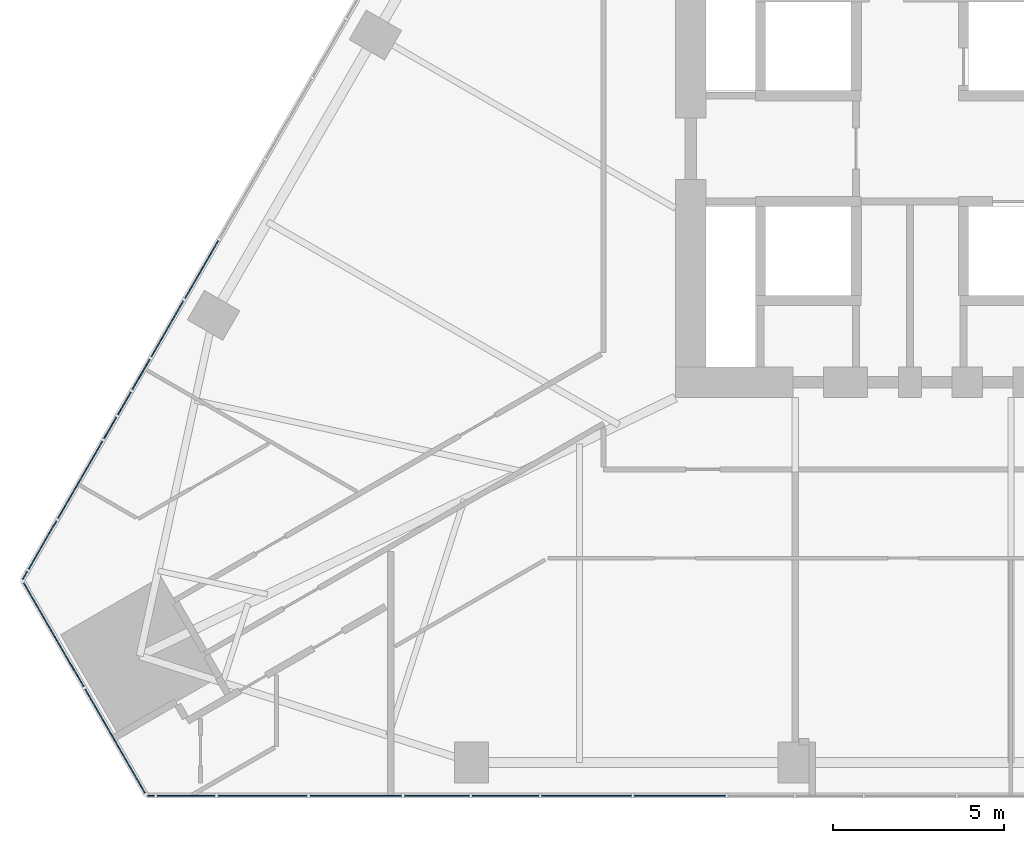
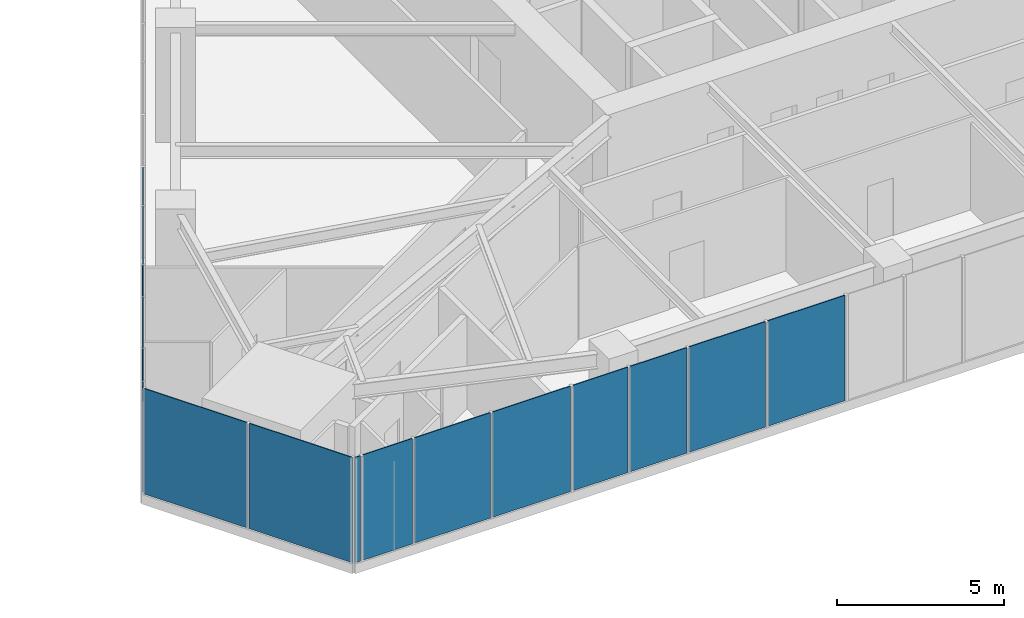
# One storey, part 13 of 26: 19 plates, 3 elements without a shape of their own.
"""IFC4 building model written with IfcOpenShell, lengths in metres."""

from ifc_helpers import new_model, si_unit, direction, frame, origin, place, context, subcontext, project, spatial, polyline, outline, extrude, material, layer, layer_set, type_object, element, aggregate, save


model = new_model("IFC4")

# Units and contexts
model_context = context("Model", 3, precision=1e-05, world=origin(), true_north=direction((0.0, 1.0)))
body_context = subcontext(model_context, "Body", "Model", "MODEL_VIEW")
ifc_project = project(units=[si_unit("LENGTHUNIT", "METRE"), si_unit("AREAUNIT", "SQUARE_METRE"), si_unit("VOLUMEUNIT", "CUBIC_METRE"), si_unit("PLANEANGLEUNIT", "RADIAN"), si_unit("MASSUNIT", "GRAM", prefix="KILO")], contexts=[model_context])

# Site, building, storey
site_placement = place(None, origin())
site = spatial("IfcSite", under=ifc_project, at=site_placement, CompositionType="ELEMENT")
building_placement = place(site_placement, origin())
building = spatial("IfcBuilding", under=site, at=building_placement, Name="Firuza Gate Tower and Library", CompositionType="ELEMENT")
storey_placement = place(building_placement, frame((0.0, 0.0, 77.800048828125)))
storey = spatial("IfcBuildingStorey", under=building, at=storey_placement, Name="L17", CompositionType="ELEMENT", Elevation=77.800048828125)

# Curtain wall, plates
ifc_material_1 = material(Name="Aluminium 6063-T6", Category="aluminium")
ifc_layer_1 = layer(ifc_material_1, 0.14990234375)
ifc_layer_set_1 = layer_set([ifc_layer_1], Name="Corner curtain wall, chamfers")
curtain_wall_type_1 = type_object("IfcCurtainWallType", Name="Corner curtain wall, chamfers", PredefinedType="NOTDEFINED", material=ifc_layer_set_1)
placement = place(storey_placement, origin())
curtain_wall_1 = element("IfcCurtainWall", 1, at=placement, inside=storey, type_object=curtain_wall_type_1, Name="CW4 L17 SW corner", PredefinedType="NOTDEFINED")
ifc_material_2 = material(Name="Fritted glass", Category="glass")
ifc_layer_2 = layer(ifc_material_2, 0.030029296875)
ifc_layer_set_2 = layer_set([ifc_layer_2], Name="Fritted glass unit, corners")
plate_type_1 = type_object("IfcPlateType", Name="Fritted glass unit, corners", PredefinedType="CURTAIN_PANEL", material=ifc_layer_set_2)
plate_1_placement = place(storey_placement, frame((42.864501953125, 60.607177734375, 0.14990234375), z_axis=(-0.865999591991, -0.500044704672, 0.0), x_axis=(0.500044704672, -0.865999591991, 0.0)))
plate_1 = element("IfcPlate", 2, at=plate_1_placement, type_object=plate_type_1, Name="Glass unit", PredefinedType="CURTAIN_PANEL", context=body_context, shape_type="SweptSolid", body=[
    extrude(outline(polyline([(0.0, 0.0), (3.563157982880169, 0.0), (3.563157982880169, 3.85009765625), (0.0, 3.85009765625), (0.0, 0.0)])), origin(), (0.0, 0.0, -1.0), 0.030029296875),
])
plate_2_placement = place(storey_placement, frame((44.686279296875, 57.4521484375, 0.14990234375), z_axis=(-0.866046390552, -0.49996364809, 0.0), x_axis=(0.49996364809, -0.866046390552, 0.0)))
plate_2 = element("IfcPlate", 3, at=plate_2_placement, type_object=plate_type_1, Name="Glass unit", PredefinedType="CURTAIN_PANEL", context=body_context, shape_type="SweptSolid", body=[
    extrude(outline(polyline([(0.0, 0.0), (3.563247342942594, 0.0), (3.563247342942594, 3.85009765625), (0.0, 3.85009765625), (0.0, 0.0)])), origin(), (0.0, 0.0, -1.0), 0.030029296875),
])
aggregate(curtain_wall_1, [plate_1, plate_2])

ifc_material_3 = material(Name="Aluminium 6063-T6", Category="aluminium")
ifc_layer_3 = layer(ifc_material_3, 0.14990234375)
ifc_layer_set_3 = layer_set([ifc_layer_3], Name="Unitised curtain wall, offices")
curtain_wall_type_2 = type_object("IfcCurtainWallType", Name="Unitised curtain wall, offices", PredefinedType="NOTDEFINED", material=ifc_layer_set_3)
curtain_wall_2 = element("IfcCurtainWall", 4, at=placement, inside=storey, type_object=curtain_wall_type_2, Name="CW1 L17 S face", PredefinedType="NOTDEFINED")
ifc_material_4 = material(Name="Fritted glass", Category="glass")
ifc_layer_4 = layer(ifc_material_4, 0.030029296875)
ifc_layer_set_4 = layer_set([ifc_layer_4], Name="Fritted glass unit, offices")
plate_type_2 = type_object("IfcPlateType", Name="Fritted glass unit, offices", PredefinedType="CURTAIN_PANEL", material=ifc_layer_set_4)
plate_3_placement = place(storey_placement, frame((46.806884765625, 54.323974609375, 0.14990234375), z_axis=(0.0, -1.0, 0.0), x_axis=(1.0, 0.0, 0.0)))
plate_3 = element("IfcPlate", 5, at=plate_3_placement, type_object=plate_type_2, Name="Glass unit", PredefinedType="CURTAIN_PANEL", context=body_context, shape_type="SweptSolid", body=[
    extrude(outline(polyline([(0.0, 0.0), (1.706298828125, 0.0), (1.706298828125, 3.85009765625), (0.0, 3.85009765625), (0.0, 0.0)])), origin(), (0.0, 0.0, -1.0), 0.030029296875),
])
plate_4_placement = place(storey_placement, frame((54.060302734375, 54.323974609375, 0.14990234375), z_axis=(0.0, -1.0, 0.0), x_axis=(1.0, 0.0, 0.0)))
plate_4 = element("IfcPlate", 6, at=plate_4_placement, type_object=plate_type_2, Name="Glass unit", PredefinedType="CURTAIN_PANEL", context=body_context, shape_type="SweptSolid", body=[
    extrude(outline(polyline([(0.0, 0.0), (1.900146484375, 0.0), (1.900146484375, 3.85009765625), (0.0, 3.85009765625), (0.0, 0.0)])), origin(), (0.0, 0.0, -1.0), 0.030029296875),
])
plate_5_placement = place(storey_placement, frame((56.04052734375, 54.323974609375, 0.14990234375), z_axis=(0.0, -1.0, 0.0), x_axis=(1.0, 0.0, 0.0)))
plate_5 = element("IfcPlate", 7, at=plate_5_placement, type_object=plate_type_2, Name="Glass unit", PredefinedType="CURTAIN_PANEL", context=body_context, shape_type="SweptSolid", body=[
    extrude(outline(polyline([(0.0, 0.0), (1.9580078125, 0.0), (1.9580078125, 3.85009765625), (0.0, 3.85009765625), (0.0, 0.0)])), origin(), (0.0, 0.0, -1.0), 0.030029296875),
])

curtain_wall_3 = element("IfcCurtainWall", 8, at=placement, inside=storey, type_object=curtain_wall_type_2, Name="CW1 L17 W face", PredefinedType="NOTDEFINED")
plate_6_placement = place(storey_placement, frame((48.59326171875, 70.6142578125, 0.14990234375), z_axis=(-0.866009076391, 0.500028278809, 0.0), x_axis=(-0.500028278809, -0.866009076391, 0.0)))
plate_6 = element("IfcPlate", 9, at=plate_6_placement, type_object=plate_type_2, Name="Glass unit", PredefinedType="CURTAIN_PANEL", context=body_context, shape_type="SweptSolid", body=[
    extrude(outline(polyline([(0.0, 0.0), (1.9578970785054803, 0.0), (1.9578970785054803, 3.85009765625), (0.0, 3.85009765625), (0.0, 0.0)])), origin(), (0.0, 0.0, -1.0), 0.030029296875),
])
plate_7_placement = place(storey_placement, frame((47.574462890625, 68.849365234375, 0.14990234375), z_axis=(-0.866020851292, 0.500007885066, 0.0), x_axis=(-0.500007885066, -0.866020851292, 0.0)))
plate_7 = element("IfcPlate", 10, at=plate_7_placement, type_object=plate_type_2, Name="Glass unit", PredefinedType="CURTAIN_PANEL", context=body_context, shape_type="SweptSolid", body=[
    extrude(outline(polyline([(0.0, 0.0), (1.9003606560628763, 0.0), (1.9003606560628763, 1.885009765625), (0.0, 1.885009765625), (0.0, 0.0)])), origin(), (0.0, 0.0, -1.0), 0.030029296875),
])
plate_8_placement = place(storey_placement, frame((45.605224609375, 65.4384765625, 0.14990234375), z_axis=(-0.865974312977, 0.500088481434, 0.0), x_axis=(-0.500088481434, -0.865974312977, 0.0)))
plate_8 = element("IfcPlate", 11, at=plate_8_placement, type_object=plate_type_2, Name="Glass unit", PredefinedType="CURTAIN_PANEL", context=body_context, shape_type="SweptSolid", body=[
    extrude(outline(polyline([(0.0, 0.0), (0.7313158967412208, 0.0), (0.7313158967412208, 1.885009765625), (0.0, 1.885009765625), (0.0, 0.0)])), origin(), (0.0, 0.0, -1.0), 0.030029296875),
])
plate_9_placement = place(storey_placement, frame((47.574462890625, 68.849365234375, 2.114990234375), z_axis=(-0.866018079166, 0.500012686397, 0.0), x_axis=(-0.500012686397, -0.866018079166, 0.0)))
plate_9 = element("IfcPlate", 12, at=plate_9_placement, type_object=plate_type_2, Name="Glass unit", PredefinedType="CURTAIN_PANEL", context=body_context, shape_type="SweptSolid", body=[
    extrude(outline(polyline([(0.0, 0.0), (3.0096892607728014, 0.0), (3.0096892607728014, 1.885009765625), (0.0, 1.885009765625), (0.0, 0.0)])), origin(), (0.0, 0.0, -1.0), 0.030029296875),
])
plate_10_placement = place(storey_placement, frame((43.8505859375, 62.399658203125, 0.14990234375), z_axis=(-0.866046869545, 0.499962818368, 0.0), x_axis=(-0.499962818368, -0.866046869545, 0.0)))
plate_10 = element("IfcPlate", 13, at=plate_10_placement, type_object=plate_type_2, Name="Glass unit", PredefinedType="CURTAIN_PANEL", context=body_context, shape_type="SweptSolid", body=[
    extrude(outline(polyline([(0.0, 0.0), (1.6412353288644128, 0.0), (1.6412353288644128, 3.85009765625), (0.0, 3.85009765625), (0.0, 0.0)])), origin(), (0.0, 0.0, -1.0), 0.030029296875),
])

# Plate
ifc_material_5 = material(Name="Glazed ceramic tile")
ifc_layer_5 = layer(ifc_material_5, 0.030029296875)
ifc_layer_set_5 = layer_set([ifc_layer_5], Name="Opaque ceramic panel, offices")
plate_type_3 = type_object("IfcPlateType", Name="Opaque ceramic panel, offices", PredefinedType="CURTAIN_PANEL", material=ifc_layer_set_5)
plate_11_placement = place(storey_placement, frame((46.540771484375, 54.323974609375, 0.14990234375), z_axis=(0.0, -1.0, 0.0), x_axis=(1.0, 0.0, 0.0)))
plate_11 = element("IfcPlate", 14, at=plate_11_placement, type_object=plate_type_3, Name="Opaque ceramic panel", PredefinedType="CURTAIN_PANEL", context=body_context, shape_type="SweptSolid", body=[
    extrude(outline(polyline([(0.0, 0.0), (0.18603515625, 0.0), (0.18603515625, 3.85009765625), (0.0, 3.85009765625), (0.0, 0.0)])), origin(), (0.0, 0.0, -1.0), 0.030029296875),
])

plate_12_placement = place(storey_placement, frame((48.59326171875, 54.323974609375, 0.14990234375), z_axis=(0.0, -1.0, 0.0), x_axis=(1.0, 0.0, 0.0)))
plate_12 = element("IfcPlate", 15, at=plate_12_placement, type_object=plate_type_3, Name="Opaque ceramic panel", PredefinedType="CURTAIN_PANEL", context=body_context, shape_type="SweptSolid", body=[
    extrude(outline(polyline([(0.0, 0.0), (2.617431640625, 0.0), (2.617431640625, 3.85009765625), (0.0, 3.85009765625), (0.0, 0.0)])), origin(), (0.0, 0.0, -1.0), 0.030029296875),
])

plate_13_placement = place(storey_placement, frame((51.290771484375, 54.323974609375, 0.14990234375), z_axis=(0.0, -1.0, 0.0), x_axis=(1.0, 0.0, 0.0)))
plate_13 = element("IfcPlate", 16, at=plate_13_placement, type_object=plate_type_3, Name="Opaque ceramic panel", PredefinedType="CURTAIN_PANEL", context=body_context, shape_type="SweptSolid", body=[
    extrude(outline(polyline([(0.0, 0.0), (2.689453125, 0.0), (2.689453125, 3.85009765625), (0.0, 3.85009765625), (0.0, 0.0)])), origin(), (0.0, 0.0, -1.0), 0.030029296875),
])

plate_14_placement = place(storey_placement, frame((58.078369140625, 54.323974609375, 0.14990234375), z_axis=(0.0, -1.0, 0.0), x_axis=(1.0, 0.0, 0.0)))
plate_14 = element("IfcPlate", 17, at=plate_14_placement, type_object=plate_type_3, Name="Opaque ceramic panel", PredefinedType="CURTAIN_PANEL", context=body_context, shape_type="SweptSolid", body=[
    extrude(outline(polyline([(0.0, 0.0), (2.632080078125, 0.0), (2.632080078125, 3.85009765625), (0.0, 3.85009765625), (0.0, 0.0)])), origin(), (0.0, 0.0, -1.0), 0.030029296875),
])

plate_15_placement = place(storey_placement, frame((60.790283203125, 54.323974609375, 0.14990234375), z_axis=(0.0, -1.0, 0.0), x_axis=(1.0, 0.0, 0.0)))
plate_15 = element("IfcPlate", 18, at=plate_15_placement, type_object=plate_type_3, Name="Opaque ceramic panel", PredefinedType="CURTAIN_PANEL", context=body_context, shape_type="SweptSolid", body=[
    extrude(outline(polyline([(0.0, 0.0), (2.67529296875, 0.0), (2.67529296875, 3.85009765625), (0.0, 3.85009765625), (0.0, 0.0)])), origin(), (0.0, 0.0, -1.0), 0.030029296875),
])

aggregate(curtain_wall_2, [plate_11, plate_3, plate_12, plate_13, plate_4, plate_5, plate_14, plate_15])

plate_16_placement = place(storey_placement, frame((46.584228515625, 67.13427734375, 0.14990234375), z_axis=(-0.866042712228, 0.499970019698, 0.0), x_axis=(-0.499970019698, -0.866042712228, 0.0)))
plate_16 = element("IfcPlate", 19, at=plate_16_placement, type_object=plate_type_3, Name="Opaque ceramic panel", PredefinedType="CURTAIN_PANEL", context=body_context, shape_type="SweptSolid", body=[
    extrude(outline(polyline([(0.0, 0.0), (1.8780422960501113, 0.0), (1.8780422960501113, 1.885009765625), (0.0, 1.885009765625), (0.0, 0.0)])), origin(), (0.0, 0.0, -1.0), 0.030029296875),
])

plate_17_placement = place(storey_placement, frame((46.029541015625, 66.173583984375, 2.114990234375), z_axis=(-0.866028632512, 0.499994407638, 0.0), x_axis=(-0.499994407638, -0.866028632512, 0.0)))
plate_17 = element("IfcPlate", 20, at=plate_17_placement, type_object=plate_type_3, Name="Opaque ceramic panel", PredefinedType="CURTAIN_PANEL", context=body_context, shape_type="SweptSolid", body=[
    extrude(outline(polyline([(0.0, 0.0), (1.5800957979362107, 0.0), (1.5800957979362107, 1.885009765625), (0.0, 1.885009765625), (0.0, 0.0)])), origin(), (0.0, 0.0, -1.0), 0.030029296875),
])

plate_18_placement = place(storey_placement, frame((45.199462890625, 64.73583984375, 0.14990234375), z_axis=(-0.866013176292, 0.50002117804, 0.0), x_axis=(-0.50002117804, -0.866013176292, 0.0)))
plate_18 = element("IfcPlate", 21, at=plate_18_placement, type_object=plate_type_3, Name="Opaque ceramic panel", PredefinedType="CURTAIN_PANEL", context=body_context, shape_type="SweptSolid", body=[
    extrude(outline(polyline([(0.0, 0.0), (2.6175649114610273, 0.0), (2.6175649114610273, 3.85009765625), (0.0, 3.85009765625), (0.0, 0.0)])), origin(), (0.0, 0.0, -1.0), 0.030029296875),
])

plate_19_placement = place(storey_placement, frame((42.989990234375, 60.9091796875, 0.14990234375), z_axis=(-0.866201770413, 0.499694399542, 0.0), x_axis=(-0.499694399542, -0.866201770413, 0.0)))
plate_19 = element("IfcPlate", 22, at=plate_19_placement, type_object=plate_type_3, Name="Opaque ceramic panel", PredefinedType="CURTAIN_PANEL", context=body_context, shape_type="SweptSolid", body=[
    extrude(outline(polyline([(0.0, 0.0), (0.25113005341856437, 0.0), (0.25113005341856437, 3.85009765625), (0.0, 3.85009765625), (0.0, 0.0)])), origin(), (0.0, 0.0, -1.0), 0.030029296875),
])

aggregate(curtain_wall_3, [plate_6, plate_7, plate_16, plate_8, plate_9, plate_17, plate_18, plate_10, plate_19])

save(model, "model.ifc")
